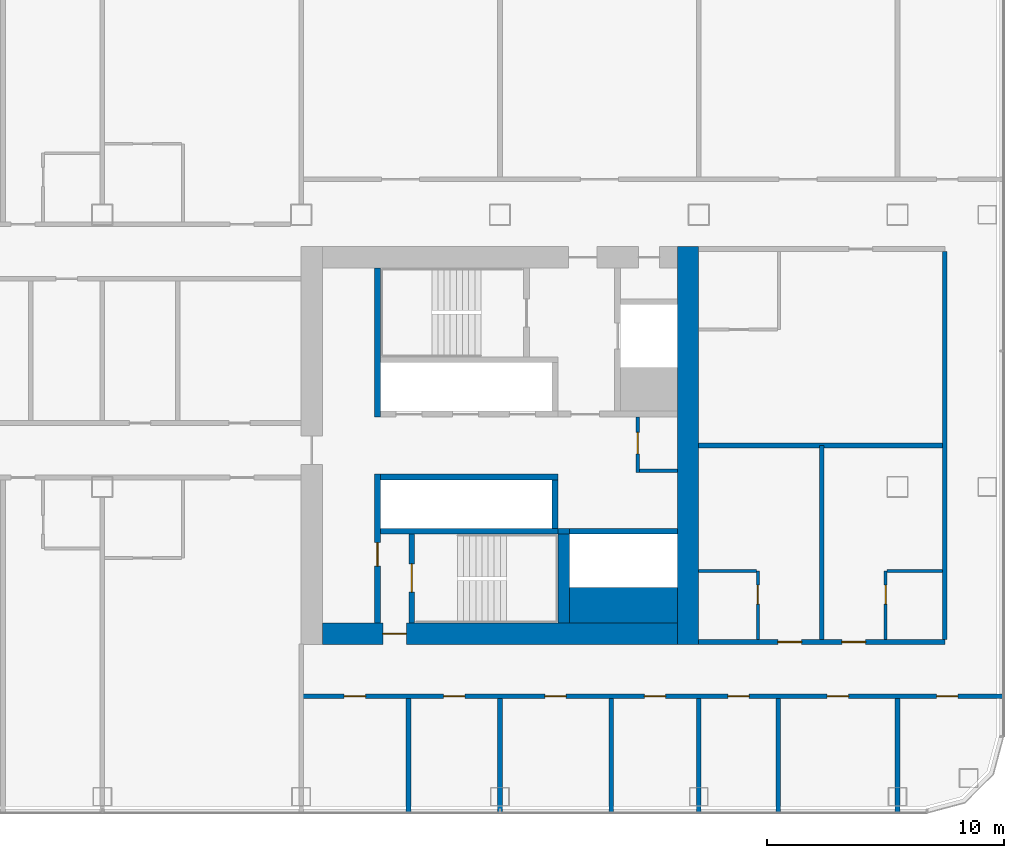
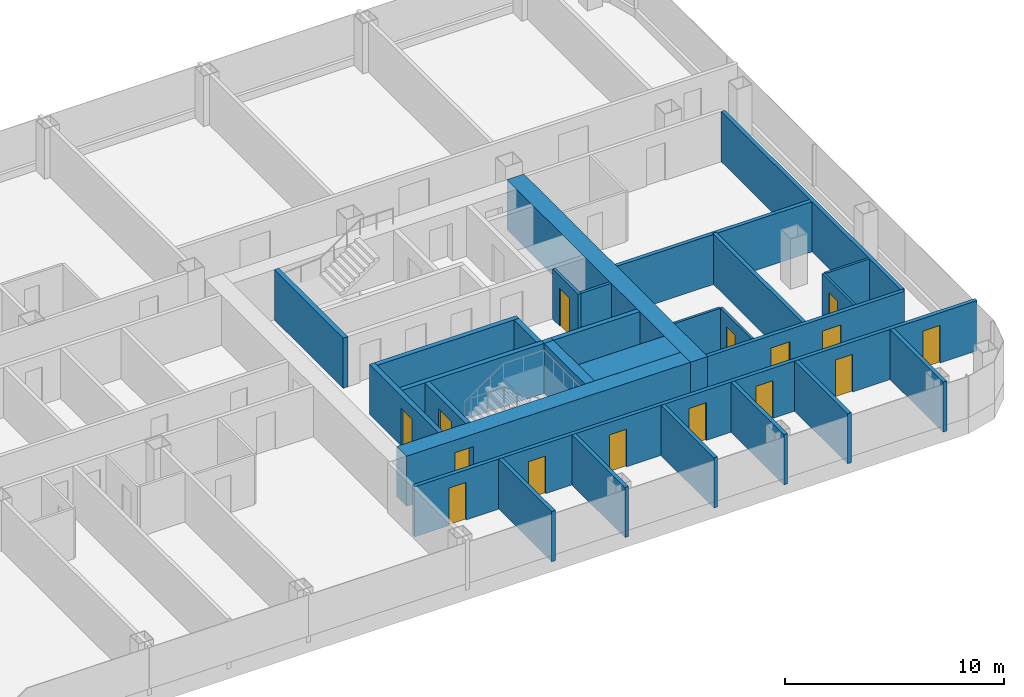
# One storey, part 19 of 29: 29 walls, 15 doors, 15 openings.
"""IFC4 building model written with IfcOpenShell, lengths in metres."""

from ifc_helpers import new_model, si_unit, direction, frame, frame_2d, origin, place, context, subcontext, project, spatial, rectangle, extrude, material, layer, layer_set, type_object, element, fill, save


model = new_model("IFC4")

# Units and contexts
model_context = context("Model", 3, precision=1e-05, world=origin(), true_north=direction((0.0, 1.0)))
body_context = subcontext(model_context, "Body", "Model", "MODEL_VIEW")
ifc_project = project(units=[si_unit("LENGTHUNIT", "METRE"), si_unit("AREAUNIT", "SQUARE_METRE"), si_unit("VOLUMEUNIT", "CUBIC_METRE"), si_unit("PLANEANGLEUNIT", "RADIAN"), si_unit("MASSUNIT", "GRAM", prefix="KILO")], contexts=[model_context])

# Site, building, storey
site_placement = place(None, origin())
site = spatial("IfcSite", under=ifc_project, at=site_placement, CompositionType="ELEMENT")
building_placement = place(site_placement, origin())
building = spatial("IfcBuilding", under=site, at=building_placement, Name="Hakoniwa Tower and Hamabe Station Hall", CompositionType="ELEMENT")
storey_placement = place(building_placement, frame((0.0, 0.0, 85.0)))
storey = spatial("IfcBuildingStorey", under=building, at=storey_placement, Name="L23", CompositionType="ELEMENT", Elevation=85.0)

# Walls
ifc_material_1 = material(Name="Gypsum board partition", Category="gypsum")
ifc_layer_1 = layer(ifc_material_1, 0.125)
ifc_layer_set_1 = layer_set([ifc_layer_1], Name="Bathroom Partition 125")
wall_type_1 = type_object("IfcWallType", Name="Bathroom Partition 125", PredefinedType="PARTITIONING", material=ifc_layer_set_1)
wall_1_placement = place(storey_placement, frame((33.60009765625, -5.300048828125, 0.0), z_axis=(0.0, 0.0, 1.0), x_axis=(1.0, 0.0, 0.0)))
element("IfcWall", 1, at=wall_1_placement, inside=storey, type_object=wall_type_1, Name="GW-L23-007", PredefinedType="PARTITIONING", context=body_context, shape_type="SweptSolid", body=[
    extrude(rectangle(XDim=2.4375, YDim=0.125, at=frame_2d((1.21875, 0.0))), origin(), (0.0, 0.0, 1.0), 2.800048828125),
])
wall_2_placement = place(storey_placement, frame((41.5625, -5.300048828125, 0.0), z_axis=(0.0, 0.0, 1.0), x_axis=(1.0, 0.0, 0.0)))
element("IfcWall", 2, at=wall_2_placement, inside=storey, type_object=wall_type_1, Name="GW-L23-008", PredefinedType="PARTITIONING", context=body_context, shape_type="SweptSolid", body=[
    extrude(rectangle(XDim=2.33740234375, YDim=0.125, at=frame_2d((1.168701171875, 0.0))), origin(), (0.0, 0.0, 1.0), 2.800048828125),
])

# Wall, opening, door
wall_3_placement = place(storey_placement, frame((36.10009765625, -8.199951171875, 0.0), z_axis=(0.0, 0.0, 1.0), x_axis=(0.0, 1.0, 0.0)))
wall_3 = element("IfcWall", 3, at=wall_3_placement, inside=storey, type_object=wall_type_1, Name="GW-L23-087", PredefinedType="PARTITIONING", context=body_context, shape_type="SweptSolid", body=[
    extrude(rectangle(XDim=2.89990234375, YDim=0.125, at=frame_2d((1.449951171875, 0.0))), origin(), (0.0, 0.0, 1.0), 2.800048828125),
])
opening_1_placement = place(wall_3_placement, frame((1.5, 0.0, 0.0)))
opening_1 = element("IfcOpeningElement", 4, at=opening_1_placement, cuts=wall_3, Name="Opening GD-G2D0-67", PredefinedType="OPENING", context=body_context, shape_type="SweptSolid", body=[
    extrude(rectangle(XDim=0.800048828125, YDim=2.10009765625, at=frame_2d((0.39990234375, 1.050048828125))), frame((0.0, 0.072509765625, 0.0), z_axis=(0.0, -1.0, 0.0), x_axis=(1.0, 0.0, 0.0)), (0.0, 0.0, 1.0), 0.14501953125),
])
ifc_material_2 = material(Name="Timber door leaf", Category="wood")
door_type_1 = type_object("IfcDoorType", Name="Bathroom Door 800", OperationType="SINGLE_SWING_LEFT", PredefinedType="DOOR", material=ifc_material_2)
door_1_placement = place(opening_1_placement, origin())
door_1 = element("IfcDoor", 5, at=door_1_placement, inside=storey, type_object=door_type_1, Name="Door GD-G2D0-67", OperationType="SINGLE_SWING_LEFT", OverallHeight=2.10009765625, OverallWidth=0.800048828125, PredefinedType="DOOR", context=body_context, shape_type="SweptSolid", body=[
    extrude(rectangle(XDim=0.800048828125, YDim=2.10009765625, at=frame_2d((0.39990234375, 1.050048828125))), frame((0.0, 0.02490234375, 0.0), z_axis=(0.0, -1.0, 0.0), x_axis=(1.0, 0.0, 0.0)), (0.0, 0.0, 1.0), 0.050048828125),
])
fill(opening_1, door_1)

wall_4_placement = place(storey_placement, frame((41.5, -8.199951171875, 0.0), z_axis=(0.0, 0.0, 1.0), x_axis=(0.0, 1.0, 0.0)))
wall_4 = element("IfcWall", 6, at=wall_4_placement, inside=storey, type_object=wall_type_1, Name="GW-L23-091", PredefinedType="PARTITIONING", context=body_context, shape_type="SweptSolid", body=[
    extrude(rectangle(XDim=2.89990234375, YDim=0.125, at=frame_2d((1.449951171875, 0.0))), origin(), (0.0, 0.0, 1.0), 2.800048828125),
])
opening_2_placement = place(wall_4_placement, frame((1.5, 0.0, 0.0)))
opening_2 = element("IfcOpeningElement", 7, at=opening_2_placement, cuts=wall_4, Name="Opening GD-G2D0-68", PredefinedType="OPENING", context=body_context, shape_type="SweptSolid", body=[
    extrude(rectangle(XDim=0.800048828125, YDim=2.10009765625, at=frame_2d((0.39990234375, 1.050048828125))), frame((0.0, 0.072509765625, 0.0), z_axis=(0.0, -1.0, 0.0), x_axis=(1.0, 0.0, 0.0)), (0.0, 0.0, 1.0), 0.14501953125),
])
door_2_placement = place(opening_2_placement, origin())
door_2 = element("IfcDoor", 8, at=door_2_placement, inside=storey, type_object=door_type_1, Name="Door GD-G2D0-68", OperationType="SINGLE_SWING_RIGHT", OverallHeight=2.10009765625, OverallWidth=0.800048828125, PredefinedType="DOOR", context=body_context, shape_type="SweptSolid", body=[
    extrude(rectangle(XDim=0.800048828125, YDim=2.10009765625, at=frame_2d((0.39990234375, 1.050048828125))), frame((0.0, 0.02490234375, 0.0), z_axis=(0.0, -1.0, 0.0), x_axis=(1.0, 0.0, 0.0)), (0.0, 0.0, 1.0), 0.050048828125),
])
fill(opening_2, door_2)

ifc_material_3 = material(Name="Gypsum board partition")
ifc_layer_2 = layer(ifc_material_3, 0.14990234375)
ifc_layer_set_2 = layer_set([ifc_layer_2], Name="CORE PARTITION 150 EI 60")
wall_type_2 = type_object("IfcWallType", Name="CORE PARTITION 150 EI 60", PredefinedType="PARTITIONING", material=ifc_layer_set_2)
wall_5_placement = place(storey_placement, frame((31.02490234375, -1.14990234375, 0.0), z_axis=(0.0, 0.0, 1.0), x_axis=(0.0, 1.0, 0.0)))
wall_5 = element("IfcWall", 9, at=wall_5_placement, inside=storey, type_object=wall_type_2, Name="Core partition PW0 east", PredefinedType="PARTITIONING", context=body_context, shape_type="SweptSolid", body=[
    extrude(rectangle(XDim=2.349853515625, YDim=0.14990234375, at=frame_2d((1.1748046875, 0.0))), origin(), (0.0, 0.0, 1.0), 2.800048828125),
])
opening_3_placement = place(wall_5_placement, frame((0.800048828125, 0.0, 0.0)))
opening_3 = element("IfcOpeningElement", 10, at=opening_3_placement, cuts=wall_5, Name="Opening CD-E-RM1-9", PredefinedType="OPENING", context=body_context, shape_type="SweptSolid", body=[
    extrude(rectangle(XDim=0.89990234375, YDim=2.10009765625, at=frame_2d((0.449951171875, 1.050048828125))), frame((0.0, 0.0849609375, 0.0), z_axis=(0.0, -1.0, 0.0), x_axis=(1.0, 0.0, 0.0)), (0.0, 0.0, 1.0), 0.169921875),
])
ifc_material_4 = material(Name="Steel fire door", Category="steel")
door_type_2 = type_object("IfcDoorType", Name="CORE DOOR 900 FD30", OperationType="NOTDEFINED", PredefinedType="DOOR", material=ifc_material_4)
door_3_placement = place(opening_3_placement, origin())
door_3 = element("IfcDoor", 11, at=door_3_placement, inside=storey, type_object=door_type_2, Name="Store room door", OperationType="SINGLE_SWING_LEFT", OverallHeight=2.10009765625, OverallWidth=0.89990234375, PredefinedType="DOOR", context=body_context, shape_type="SweptSolid", body=[
    extrude(rectangle(XDim=0.89990234375, YDim=2.10009765625, at=frame_2d((0.449951171875, 1.050048828125))), frame((0.0, 0.02490234375, 0.0), z_axis=(0.0, -1.0, 0.0), x_axis=(1.0, 0.0, 0.0)), (0.0, 0.0, 1.0), 0.050048828125),
])
fill(opening_3, door_3)

# Walls
wall_6_placement = place(storey_placement, frame((31.10009765625, -1.074951171875, 0.0), z_axis=(0.0, 0.0, 1.0), x_axis=(1.0, 0.0, 0.0)))
element("IfcWall", 12, at=wall_6_placement, inside=storey, type_object=wall_type_2, Name="Core partition PS east", PredefinedType="PARTITIONING", context=body_context, shape_type="SweptSolid", body=[
    extrude(rectangle(XDim=1.599853515625, YDim=0.14990234375, at=frame_2d((0.7998046875, 0.0))), origin(), (0.0, 0.0, 1.0), 2.800048828125),
])
ifc_material_5 = material(Name="Concrete C72", Category="concrete")
ifc_layer_3 = layer(ifc_material_5, 0.89990234375)
ifc_layer_set_3 = layer_set([ifc_layer_3], Name="CORE WALL 900 C72")
wall_type_3 = type_object("IfcWallType", Name="CORE WALL 900 C72", PredefinedType="SHEAR", material=ifc_layer_set_3)
wall_7_placement = place(storey_placement, frame((33.14990234375, -8.39990234375, 0.0), z_axis=(0.0, 0.0, 1.0), x_axis=(0.0, 1.0, 0.0)))
element("IfcWall", 13, at=wall_7_placement, inside=storey, type_object=wall_type_3, Name="Core wall OUTER east", PredefinedType="SHEAR", context=body_context, shape_type="SweptSolid", body=[
    extrude(rectangle(XDim=16.7998046875, YDim=0.89990234375, at=frame_2d((8.39990234375, 0.0))), origin(), (0.0, 0.0, 1.0), 2.800048828125),
])

# Wall, opening, door
wall_8_placement = place(storey_placement, frame((17.699951171875, -7.949951171875, 0.0), z_axis=(0.0, 0.0, 1.0), x_axis=(1.0, 0.0, 0.0)))
wall_8 = element("IfcWall", 14, at=wall_8_placement, inside=storey, type_object=wall_type_3, Name="Core wall SOUTH east", PredefinedType="SHEAR", context=body_context, shape_type="SweptSolid", body=[
    extrude(rectangle(XDim=15.0, YDim=0.89990234375, at=frame_2d((7.5, 0.0))), origin(), (0.0, 0.0, 1.0), 2.800048828125),
])
opening_4_placement = place(wall_8_placement, frame((2.550048828125, 0.0, 0.0)))
opening_4 = element("IfcOpeningElement", 15, at=opening_4_placement, cuts=wall_8, Name="Opening CD-E-FS3-10", PredefinedType="OPENING", context=body_context, shape_type="SweptSolid", body=[
    extrude(rectangle(XDim=1.0, YDim=2.10009765625, at=frame_2d((0.5, 1.050048828125))), frame((0.0, 0.4599609375, 0.0), z_axis=(0.0, -1.0, 0.0), x_axis=(1.0, 0.0, 0.0)), (0.0, 0.0, 1.0), 0.919921875),
])
ifc_material_6 = material(Name="Steel fire door", Category="steel")
door_type_3 = type_object("IfcDoorType", Name="CORE DOOR 1000 FD60", OperationType="NOTDEFINED", PredefinedType="DOOR", material=ifc_material_6)
door_4_placement = place(opening_4_placement, origin())
door_4 = element("IfcDoor", 16, at=door_4_placement, inside=storey, type_object=door_type_3, Name="Stair vestibule door", OperationType="SINGLE_SWING_LEFT", OverallHeight=2.10009765625, OverallWidth=1.0, PredefinedType="DOOR", context=body_context, shape_type="SweptSolid", body=[
    extrude(rectangle(XDim=1.0, YDim=2.10009765625, at=frame_2d((0.5, 1.050048828125))), frame((0.0, 0.02490234375, 0.0), z_axis=(0.0, -1.0, 0.0), x_axis=(1.0, 0.0, 0.0)), (0.0, 0.0, 1.0), 0.050048828125),
])
fill(opening_4, door_4)

# Walls
ifc_material_7 = material(Name="Concrete C72", Category="concrete")
ifc_layer_4 = layer(ifc_material_7, 1.5)
ifc_layer_set_4 = layer_set([ifc_layer_4], Name="CORE WEB WALL 1500 C72")
wall_type_4 = type_object("IfcWallType", Name="CORE WEB WALL 1500 C72", PredefinedType="SHEAR", material=ifc_layer_set_4)
wall_9_placement = place(storey_placement, frame((28.14990234375, -6.75, 0.0), z_axis=(0.0, 0.0, 1.0), x_axis=(1.0, 0.0, 0.0)))
element("IfcWall", 17, at=wall_9_placement, inside=storey, type_object=wall_type_4, Name="Core wall SER east", PredefinedType="SHEAR", context=body_context, shape_type="SweptSolid", body=[
    extrude(rectangle(XDim=4.550048828125, YDim=1.5, at=frame_2d((2.27490234375, 0.0))), origin(), (0.0, 0.0, 1.0), 2.800048828125),
])
ifc_material_8 = material(Name="Concrete C72", Category="concrete")
ifc_layer_5 = layer(ifc_material_8, 0.25)
ifc_layer_set_5 = layer_set([ifc_layer_5], Name="CORE WEB WALL 250 C72")
wall_type_5 = type_object("IfcWallType", Name="CORE WEB WALL 250 C72", PredefinedType="SHEAR", material=ifc_layer_set_5)
wall_10_placement = place(storey_placement, frame((20.02490234375, 1.199951171875, 0.0), z_axis=(0.0, 0.0, 1.0), x_axis=(0.0, 1.0, 0.0)))
element("IfcWall", 18, at=wall_10_placement, inside=storey, type_object=wall_type_5, Name="Core wall W1N east", PredefinedType="SHEAR", context=body_context, shape_type="SweptSolid", body=[
    extrude(rectangle(XDim=6.300048828125, YDim=0.25, at=frame_2d((3.14990234375, 0.0))), origin(), (0.0, 0.0, 1.0), 2.800048828125),
])

# Wall, opening, door
wall_11_placement = place(storey_placement, frame((20.02490234375, -7.5, 0.0), z_axis=(0.0, 0.0, 1.0), x_axis=(0.0, 1.0, 0.0)))
wall_11 = element("IfcWall", 19, at=wall_11_placement, inside=storey, type_object=wall_type_5, Name="Core wall W1S east", PredefinedType="SHEAR", context=body_context, shape_type="SweptSolid", body=[
    extrude(rectangle(XDim=6.300048828125, YDim=0.25, at=frame_2d((3.14990234375, 0.0))), origin(), (0.0, 0.0, 1.0), 2.800048828125),
])
opening_5_placement = place(wall_11_placement, frame((2.39990234375, 0.0, 0.0)))
opening_5 = element("IfcOpeningElement", 20, at=opening_5_placement, cuts=wall_11, Name="Opening CD-E-VS-10", PredefinedType="OPENING", context=body_context, shape_type="SweptSolid", body=[
    extrude(rectangle(XDim=1.0, YDim=2.10009765625, at=frame_2d((0.5, 1.050048828125))), frame((0.0, 0.135009765625, 0.0), z_axis=(0.0, -1.0, 0.0), x_axis=(1.0, 0.0, 0.0)), (0.0, 0.0, 1.0), 0.27001953125),
])
door_5_placement = place(opening_5_placement, origin())
door_5 = element("IfcDoor", 21, at=door_5_placement, inside=storey, type_object=door_type_3, Name="Stair vestibule door", OperationType="SINGLE_SWING_RIGHT", OverallHeight=2.10009765625, OverallWidth=1.0, PredefinedType="DOOR", context=body_context, shape_type="SweptSolid", body=[
    extrude(rectangle(XDim=1.0, YDim=2.10009765625, at=frame_2d((0.5, 1.050048828125))), frame((0.0, 0.02490234375, 0.0), z_axis=(0.0, -1.0, 0.0), x_axis=(1.0, 0.0, 0.0)), (0.0, 0.0, 1.0), 0.050048828125),
])
fill(opening_5, door_5)

# Walls
wall_12_placement = place(storey_placement, frame((20.14990234375, -1.324951171875, 0.0), z_axis=(0.0, 0.0, 1.0), x_axis=(1.0, 0.0, 0.0)))
element("IfcWall", 22, at=wall_12_placement, inside=storey, type_object=wall_type_5, Name="Core wall SF east", PredefinedType="SHEAR", context=body_context, shape_type="SweptSolid", body=[
    extrude(rectangle(XDim=7.5, YDim=0.25, at=frame_2d((3.75, 0.0))), origin(), (0.0, 0.0, 1.0), 2.800048828125),
])
wall_13_placement = place(storey_placement, frame((27.52490234375, -3.5, 0.0), z_axis=(0.0, 0.0, 1.0), x_axis=(0.0, 1.0, 0.0)))
element("IfcWall", 23, at=wall_13_placement, inside=storey, type_object=wall_type_5, Name="Core wall SE east", PredefinedType="SHEAR", context=body_context, shape_type="SweptSolid", body=[
    extrude(rectangle(XDim=2.050048828125, YDim=0.25, at=frame_2d((1.02490234375, 0.0))), origin(), (0.0, 0.0, 1.0), 2.800048828125),
])
wall_14_placement = place(storey_placement, frame((20.14990234375, -3.625, 0.0), z_axis=(0.0, 0.0, 1.0), x_axis=(1.0, 0.0, 0.0)))
element("IfcWall", 24, at=wall_14_placement, inside=storey, type_object=wall_type_5, Name="Core wall SR east", PredefinedType="SHEAR", context=body_context, shape_type="SweptSolid", body=[
    extrude(rectangle(XDim=7.5, YDim=0.25, at=frame_2d((3.75, 0.0))), origin(), (0.0, 0.0, 1.0), 2.800048828125),
])

# Wall, opening, door
wall_15_placement = place(storey_placement, frame((21.47509765625, -7.5, 0.0), z_axis=(0.0, 0.0, 1.0), x_axis=(0.0, 1.0, 0.0)))
wall_15 = element("IfcWall", 25, at=wall_15_placement, inside=storey, type_object=wall_type_5, Name="Core wall VE east", PredefinedType="SHEAR", context=body_context, shape_type="SweptSolid", body=[
    extrude(rectangle(XDim=3.75, YDim=0.25, at=frame_2d((1.875, 0.0))), origin(), (0.0, 0.0, 1.0), 2.800048828125),
])
opening_6_placement = place(wall_15_placement, frame((1.300048828125, 0.0, 0.0)))
opening_6 = element("IfcOpeningElement", 26, at=opening_6_placement, cuts=wall_15, Name="Opening CD-E-SS-12", PredefinedType="OPENING", context=body_context, shape_type="SweptSolid", body=[
    extrude(rectangle(XDim=1.199951171875, YDim=2.10009765625, at=frame_2d((0.60009765625, 1.050048828125))), frame((0.0, 0.135009765625, 0.0), z_axis=(0.0, -1.0, 0.0), x_axis=(1.0, 0.0, 0.0)), (0.0, 0.0, 1.0), 0.27001953125),
])
ifc_material_9 = material(Name="Steel fire door", Category="steel")
door_type_4 = type_object("IfcDoorType", Name="CORE DOOR 1200 FD60", OperationType="DOUBLE_DOOR_SINGLE_SWING", PredefinedType="DOOR", material=ifc_material_9)
door_6_placement = place(opening_6_placement, origin())
door_6 = element("IfcDoor", 27, at=door_6_placement, inside=storey, type_object=door_type_4, Name="Escape stair door", OperationType="DOUBLE_DOOR_SINGLE_SWING", OverallHeight=2.10009765625, OverallWidth=1.199951171875, PredefinedType="DOOR", context=body_context, shape_type="SweptSolid", body=[
    extrude(rectangle(XDim=1.199951171875, YDim=2.10009765625, at=frame_2d((0.60009765625, 1.050048828125))), frame((0.0, 0.02490234375, 0.0), z_axis=(0.0, -1.0, 0.0), x_axis=(1.0, 0.0, 0.0)), (0.0, 0.0, 1.0), 0.050048828125),
])
fill(opening_6, door_6)

# Walls
wall_16_placement = place(storey_placement, frame((28.14990234375, -3.625, 0.0), z_axis=(0.0, 0.0, 1.0), x_axis=(1.0, 0.0, 0.0)))
element("IfcWall", 28, at=wall_16_placement, inside=storey, type_object=wall_type_5, Name="Core wall SEF east", PredefinedType="SHEAR", context=body_context, shape_type="SweptSolid", body=[
    extrude(rectangle(XDim=4.550048828125, YDim=0.25, at=frame_2d((2.27490234375, 0.0))), origin(), (0.0, 0.0, 1.0), 2.800048828125),
])
wall_17_placement = place(storey_placement, frame((27.64990234375, -3.625, 0.0), z_axis=(0.0, 0.0, 1.0), x_axis=(1.0, 0.0, 0.0)))
element("IfcWall", 29, at=wall_17_placement, inside=storey, type_object=wall_type_5, Name="Core wall SRK east", PredefinedType="SHEAR", context=body_context, shape_type="SweptSolid", body=[
    extrude(rectangle(XDim=0.5, YDim=0.25, at=frame_2d((0.25, 0.0))), origin(), (0.0, 0.0, 1.0), 2.800048828125),
])
ifc_material_10 = material(Name="Concrete C72", Category="concrete")
ifc_layer_6 = layer(ifc_material_10, 0.5)
ifc_layer_set_6 = layer_set([ifc_layer_6], Name="CORE WEB WALL 500 C72")
wall_type_6 = type_object("IfcWallType", Name="CORE WEB WALL 500 C72", PredefinedType="SHEAR", material=ifc_layer_set_6)
wall_18_placement = place(storey_placement, frame((27.89990234375, -7.5, 0.0), z_axis=(0.0, 0.0, 1.0), x_axis=(0.0, 1.0, 0.0)))
element("IfcWall", 30, at=wall_18_placement, inside=storey, type_object=wall_type_6, Name="Core wall SSE east", PredefinedType="SHEAR", context=body_context, shape_type="SweptSolid", body=[
    extrude(rectangle(XDim=3.75, YDim=0.5, at=frame_2d((1.875, 0.0))), origin(), (0.0, 0.0, 1.0), 2.800048828125),
])

# Wall, openings, doors
ifc_material_11 = material(Name="Fire-rated gypsum board partition", Category="gypsum")
ifc_layer_7 = layer(ifc_material_11, 0.199951171875)
ifc_layer_set_7 = layer_set([ifc_layer_7], Name="Corridor Wall 200")
wall_type_7 = type_object("IfcWallType", Name="Corridor Wall 200", PredefinedType="PARTITIONING", material=ifc_layer_set_7)
wall_19_placement = place(storey_placement, frame((16.800048828125, -10.60009765625, 0.0), z_axis=(0.0, 0.0, 1.0), x_axis=(1.0, 0.0, 0.0)))
wall_19 = element("IfcWall", 31, at=wall_19_placement, inside=storey, type_object=wall_type_7, Name="GW-L23-002", PredefinedType="PARTITIONING", context=body_context, shape_type="SweptSolid", body=[
    extrude(rectangle(XDim=29.699951171875, YDim=0.199951171875, at=frame_2d((14.85009765625, 0.0))), origin(), (0.0, 0.0, 1.0), 2.800048828125),
])
opening_7_placement = place(wall_19_placement, frame((1.820068359375, 0.0, 0.0)))
opening_7 = element("IfcOpeningElement", 32, at=opening_7_placement, cuts=wall_19, Name="Opening GD-G2D0-08", PredefinedType="OPENING", context=body_context, shape_type="SweptSolid", body=[
    extrude(rectangle(XDim=0.89990234375, YDim=2.10009765625, at=frame_2d((0.449951171875, 1.050048828125))), frame((0.0, 0.10986328125, 0.0), z_axis=(0.0, -1.0, 0.0), x_axis=(1.0, 0.0, 0.0)), (0.0, 0.0, 1.0), 0.219970703125),
])
opening_8_placement = place(wall_19_placement, frame((6.02001953125, 0.0, 0.0)))
opening_8 = element("IfcOpeningElement", 33, at=opening_8_placement, cuts=wall_19, Name="Opening GD-G2D0-09", PredefinedType="OPENING", context=body_context, shape_type="SweptSolid", body=[
    extrude(rectangle(XDim=0.89990234375, YDim=2.10009765625, at=frame_2d((0.449951171875, 1.050048828125))), frame((0.0, 0.10986328125, 0.0), z_axis=(0.0, -1.0, 0.0), x_axis=(1.0, 0.0, 0.0)), (0.0, 0.0, 1.0), 0.219970703125),
])
opening_9_placement = place(wall_19_placement, frame((10.300048828125, 0.0, 0.0)))
opening_9 = element("IfcOpeningElement", 34, at=opening_9_placement, cuts=wall_19, Name="Opening GD-G2D0-10", PredefinedType="OPENING", context=body_context, shape_type="SweptSolid", body=[
    extrude(rectangle(XDim=0.89990234375, YDim=2.10009765625, at=frame_2d((0.449951171875, 1.050048828125))), frame((0.0, 0.10986328125, 0.0), z_axis=(0.0, -1.0, 0.0), x_axis=(1.0, 0.0, 0.0)), (0.0, 0.0, 1.0), 0.219970703125),
])
opening_10_placement = place(wall_19_placement, frame((14.5, 0.0, 0.0)))
opening_10 = element("IfcOpeningElement", 35, at=opening_10_placement, cuts=wall_19, Name="Opening GD-G2D0-11", PredefinedType="OPENING", context=body_context, shape_type="SweptSolid", body=[
    extrude(rectangle(XDim=0.89990234375, YDim=2.10009765625, at=frame_2d((0.449951171875, 1.050048828125))), frame((0.0, 0.10986328125, 0.0), z_axis=(0.0, -1.0, 0.0), x_axis=(1.0, 0.0, 0.0)), (0.0, 0.0, 1.0), 0.219970703125),
])
opening_11_placement = place(wall_19_placement, frame((18.030029296875, 0.0, 0.0)))
opening_11 = element("IfcOpeningElement", 36, at=opening_11_placement, cuts=wall_19, Name="Opening GD-G2D0-12", PredefinedType="OPENING", context=body_context, shape_type="SweptSolid", body=[
    extrude(rectangle(XDim=0.89990234375, YDim=2.10009765625, at=frame_2d((0.449951171875, 1.050048828125))), frame((0.0, 0.10986328125, 0.0), z_axis=(0.0, -1.0, 0.0), x_axis=(1.0, 0.0, 0.0)), (0.0, 0.0, 1.0), 0.219970703125),
])
opening_12_placement = place(wall_19_placement, frame((22.22998046875, 0.0, 0.0)))
opening_12 = element("IfcOpeningElement", 37, at=opening_12_placement, cuts=wall_19, Name="Opening GD-G2D0-13", PredefinedType="OPENING", context=body_context, shape_type="SweptSolid", body=[
    extrude(rectangle(XDim=0.89990234375, YDim=2.10009765625, at=frame_2d((0.449951171875, 1.050048828125))), frame((0.0, 0.10986328125, 0.0), z_axis=(0.0, -1.0, 0.0), x_axis=(1.0, 0.0, 0.0)), (0.0, 0.0, 1.0), 0.219970703125),
])
opening_13_placement = place(wall_19_placement, frame((26.85009765625, 0.0, 0.0)))
opening_13 = element("IfcOpeningElement", 38, at=opening_13_placement, cuts=wall_19, Name="Opening GD-G2D0-14", PredefinedType="OPENING", context=body_context, shape_type="SweptSolid", body=[
    extrude(rectangle(XDim=0.89990234375, YDim=2.10009765625, at=frame_2d((0.449951171875, 1.050048828125))), frame((0.0, 0.10986328125, 0.0), z_axis=(0.0, -1.0, 0.0), x_axis=(1.0, 0.0, 0.0)), (0.0, 0.0, 1.0), 0.219970703125),
])
ifc_material_12 = material(Name="Timber door leaf", Category="wood")
door_type_5 = type_object("IfcDoorType", Name="Service Door 900", OperationType="SINGLE_SWING_LEFT", PredefinedType="DOOR", material=ifc_material_12)
door_7_placement = place(opening_7_placement, origin())
door_7 = element("IfcDoor", 39, at=door_7_placement, inside=storey, type_object=door_type_5, Name="Door GD-G2D0-08", OperationType="SINGLE_SWING_RIGHT", OverallHeight=2.10009765625, OverallWidth=0.89990234375, PredefinedType="DOOR", context=body_context, shape_type="SweptSolid", body=[
    extrude(rectangle(XDim=0.89990234375, YDim=2.10009765625, at=frame_2d((0.449951171875, 1.050048828125))), frame((0.0, 0.02490234375, 0.0), z_axis=(0.0, -1.0, 0.0), x_axis=(1.0, 0.0, 0.0)), (0.0, 0.0, 1.0), 0.050048828125),
])
fill(opening_7, door_7)
door_8_placement = place(opening_8_placement, origin())
door_8 = element("IfcDoor", 40, at=door_8_placement, inside=storey, type_object=door_type_5, Name="Door GD-G2D0-09", OperationType="SINGLE_SWING_LEFT", OverallHeight=2.10009765625, OverallWidth=0.89990234375, PredefinedType="DOOR", context=body_context, shape_type="SweptSolid", body=[
    extrude(rectangle(XDim=0.89990234375, YDim=2.10009765625, at=frame_2d((0.449951171875, 1.050048828125))), frame((0.0, 0.02490234375, 0.0), z_axis=(0.0, -1.0, 0.0), x_axis=(1.0, 0.0, 0.0)), (0.0, 0.0, 1.0), 0.050048828125),
])
fill(opening_8, door_8)
door_9_placement = place(opening_9_placement, origin())
door_9 = element("IfcDoor", 41, at=door_9_placement, inside=storey, type_object=door_type_5, Name="Door GD-G2D0-10", OperationType="SINGLE_SWING_LEFT", OverallHeight=2.10009765625, OverallWidth=0.89990234375, PredefinedType="DOOR", context=body_context, shape_type="SweptSolid", body=[
    extrude(rectangle(XDim=0.89990234375, YDim=2.10009765625, at=frame_2d((0.449951171875, 1.050048828125))), frame((0.0, 0.02490234375, 0.0), z_axis=(0.0, -1.0, 0.0), x_axis=(1.0, 0.0, 0.0)), (0.0, 0.0, 1.0), 0.050048828125),
])
fill(opening_9, door_9)
door_10_placement = place(opening_10_placement, origin())
door_10 = element("IfcDoor", 42, at=door_10_placement, inside=storey, type_object=door_type_5, Name="Door GD-G2D0-11", OperationType="SINGLE_SWING_RIGHT", OverallHeight=2.10009765625, OverallWidth=0.89990234375, PredefinedType="DOOR", context=body_context, shape_type="SweptSolid", body=[
    extrude(rectangle(XDim=0.89990234375, YDim=2.10009765625, at=frame_2d((0.449951171875, 1.050048828125))), frame((0.0, 0.02490234375, 0.0), z_axis=(0.0, -1.0, 0.0), x_axis=(1.0, 0.0, 0.0)), (0.0, 0.0, 1.0), 0.050048828125),
])
fill(opening_10, door_10)
door_11_placement = place(opening_11_placement, origin())
door_11 = element("IfcDoor", 43, at=door_11_placement, inside=storey, type_object=door_type_5, Name="Door GD-G2D0-12", OperationType="SINGLE_SWING_LEFT", OverallHeight=2.10009765625, OverallWidth=0.89990234375, PredefinedType="DOOR", context=body_context, shape_type="SweptSolid", body=[
    extrude(rectangle(XDim=0.89990234375, YDim=2.10009765625, at=frame_2d((0.449951171875, 1.050048828125))), frame((0.0, 0.02490234375, 0.0), z_axis=(0.0, -1.0, 0.0), x_axis=(1.0, 0.0, 0.0)), (0.0, 0.0, 1.0), 0.050048828125),
])
fill(opening_11, door_11)
door_12_placement = place(opening_12_placement, origin())
door_12 = element("IfcDoor", 44, at=door_12_placement, inside=storey, type_object=door_type_5, Name="Door GD-G2D0-13", OperationType="SINGLE_SWING_RIGHT", OverallHeight=2.10009765625, OverallWidth=0.89990234375, PredefinedType="DOOR", context=body_context, shape_type="SweptSolid", body=[
    extrude(rectangle(XDim=0.89990234375, YDim=2.10009765625, at=frame_2d((0.449951171875, 1.050048828125))), frame((0.0, 0.02490234375, 0.0), z_axis=(0.0, -1.0, 0.0), x_axis=(1.0, 0.0, 0.0)), (0.0, 0.0, 1.0), 0.050048828125),
])
fill(opening_12, door_12)
door_13_placement = place(opening_13_placement, origin())
door_13 = element("IfcDoor", 45, at=door_13_placement, inside=storey, type_object=door_type_5, Name="Door GD-G2D0-14", OperationType="SINGLE_SWING_LEFT", OverallHeight=2.10009765625, OverallWidth=0.89990234375, PredefinedType="DOOR", context=body_context, shape_type="SweptSolid", body=[
    extrude(rectangle(XDim=0.89990234375, YDim=2.10009765625, at=frame_2d((0.449951171875, 1.050048828125))), frame((0.0, 0.02490234375, 0.0), z_axis=(0.0, -1.0, 0.0), x_axis=(1.0, 0.0, 0.0)), (0.0, 0.0, 1.0), 0.050048828125),
])
fill(opening_13, door_13)

wall_20_placement = place(storey_placement, frame((33.60009765625, -8.300048828125, 0.0), z_axis=(0.0, 0.0, 1.0), x_axis=(1.0, 0.0, 0.0)))
wall_20 = element("IfcWall", 46, at=wall_20_placement, inside=storey, type_object=wall_type_7, Name="GW-L23-004", PredefinedType="PARTITIONING", context=body_context, shape_type="SweptSolid", body=[
    extrude(rectangle(XDim=10.39990234375, YDim=0.199951171875, at=frame_2d((5.199951171875, 0.0))), origin(), (0.0, 0.0, 1.0), 2.800048828125),
])
opening_14_placement = place(wall_20_placement, frame((3.35009765625, 0.0, 0.0)))
opening_14 = element("IfcOpeningElement", 47, at=opening_14_placement, cuts=wall_20, Name="Opening GD-G2D0-17", PredefinedType="OPENING", context=body_context, shape_type="SweptSolid", body=[
    extrude(rectangle(XDim=1.0, YDim=2.10009765625, at=frame_2d((0.5, 1.050048828125))), frame((0.0, 0.10986328125, 0.0), z_axis=(0.0, -1.0, 0.0), x_axis=(1.0, 0.0, 0.0)), (0.0, 0.0, 1.0), 0.219970703125),
])
opening_15_placement = place(wall_20_placement, frame((6.050048828125, 0.0, 0.0)))
opening_15 = element("IfcOpeningElement", 48, at=opening_15_placement, cuts=wall_20, Name="Opening GD-G2D0-18", PredefinedType="OPENING", context=body_context, shape_type="SweptSolid", body=[
    extrude(rectangle(XDim=1.0, YDim=2.10009765625, at=frame_2d((0.5, 1.050048828125))), frame((0.0, 0.10986328125, 0.0), z_axis=(0.0, -1.0, 0.0), x_axis=(1.0, 0.0, 0.0)), (0.0, 0.0, 1.0), 0.219970703125),
])
ifc_material_13 = material(Name="Timber door leaf", Category="wood")
door_type_6 = type_object("IfcDoorType", Name="Guest Entrance Door 1000", OperationType="SINGLE_SWING_LEFT", PredefinedType="DOOR", material=ifc_material_13)
door_14_placement = place(opening_14_placement, origin())
door_14 = element("IfcDoor", 49, at=door_14_placement, inside=storey, type_object=door_type_6, Name="Door GD-G2D0-17", OperationType="SINGLE_SWING_LEFT", OverallHeight=2.10009765625, OverallWidth=1.0, PredefinedType="DOOR", context=body_context, shape_type="SweptSolid", body=[
    extrude(rectangle(XDim=1.0, YDim=2.10009765625, at=frame_2d((0.5, 1.050048828125))), frame((0.0, 0.02490234375, 0.0), z_axis=(0.0, -1.0, 0.0), x_axis=(1.0, 0.0, 0.0)), (0.0, 0.0, 1.0), 0.050048828125),
])
fill(opening_14, door_14)
door_15_placement = place(opening_15_placement, origin())
door_15 = element("IfcDoor", 50, at=door_15_placement, inside=storey, type_object=door_type_6, Name="Door GD-G2D0-18", OperationType="SINGLE_SWING_RIGHT", OverallHeight=2.10009765625, OverallWidth=1.0, PredefinedType="DOOR", context=body_context, shape_type="SweptSolid", body=[
    extrude(rectangle(XDim=1.0, YDim=2.10009765625, at=frame_2d((0.5, 1.050048828125))), frame((0.0, 0.02490234375, 0.0), z_axis=(0.0, -1.0, 0.0), x_axis=(1.0, 0.0, 0.0)), (0.0, 0.0, 1.0), 0.050048828125),
])
fill(opening_15, door_15)

# Walls
ifc_material_14 = material(Name="Fire-rated gypsum board partition", Category="gypsum")
ifc_layer_8 = layer(ifc_material_14, 0.199951171875)
ifc_layer_set_8 = layer_set([ifc_layer_8], Name="Party Wall 200")
wall_type_8 = type_object("IfcWallType", Name="Party Wall 200", PredefinedType="PARTITIONING", material=ifc_layer_set_8)
wall_21_placement = place(storey_placement, frame((33.60009765625, 0.0, 0.0), z_axis=(0.0, 0.0, 1.0), x_axis=(1.0, 0.0, 0.0)))
element("IfcWall", 51, at=wall_21_placement, inside=storey, type_object=wall_type_8, Name="GW-L23-016", PredefinedType="PARTITIONING", context=body_context, shape_type="SweptSolid", body=[
    extrude(rectangle(XDim=10.2998046875, YDim=0.199951171875, at=frame_2d((5.14990234375, 0.0))), origin(), (0.0, 0.0, 1.0), 2.800048828125),
])
for number, where, z_axis, x_axis, name in (
    (52, (21.340087890625, -15.550048828125, 0.0), (0.0, 0.0, 1.0), (0.0, 1.0, 0.0), "GW-L23-081"),
    (53, (25.199951171875, -15.550048828125, 0.0), (0.0, 0.0, 1.0), (0.0, 1.0, 0.0), "GW-L23-082"),
    (54, (29.89990234375, -15.550048828125, 0.0), (0.0, 0.0, 1.0), (0.0, 1.0, 0.0), "GW-L23-084"),
    (55, (33.60009765625, -15.550048828125, 0.0), (0.0, 0.0, 1.0), (0.0, 1.0, 0.0), "GW-L23-085"),
    (56, (36.9599609375, -15.550048828125, 0.0), (0.0, 0.0, 1.0), (0.0, 1.0, 0.0), "GW-L23-088"),
):
    element("IfcWall", number, at=place(storey_placement, frame(where, z_axis=z_axis, x_axis=x_axis)), inside=storey, type_object=wall_type_8, Name=name, PredefinedType="PARTITIONING", context=body_context, shape_type="SweptSolid", body=[
        extrude(rectangle(XDim=4.85009765625, YDim=0.199951171875, at=frame_2d((2.425048828125, 0.0))), origin(), (0.0, 0.0, 1.0), 2.800048828125),
    ])
wall_22_placement = place(storey_placement, frame((38.800048828125, -8.199951171875, 0.0), z_axis=(0.0, 0.0, 1.0), x_axis=(0.0, 1.0, 0.0)))
element("IfcWall", 57, at=wall_22_placement, inside=storey, type_object=wall_type_8, Name="GW-L23-090", PredefinedType="PARTITIONING", context=body_context, shape_type="SweptSolid", body=[
    extrude(rectangle(XDim=8.199951171875, YDim=0.199951171875, at=frame_2d((4.10009765625, 0.0))), origin(), (0.0, 0.0, 1.0), 2.800048828125),
])
wall_23_placement = place(storey_placement, frame((42.0, -15.550048828125, 0.0), z_axis=(0.0, 0.0, 1.0), x_axis=(0.0, 1.0, 0.0)))
element("IfcWall", 58, at=wall_23_placement, inside=storey, type_object=wall_type_8, Name="GW-L23-092", PredefinedType="PARTITIONING", context=body_context, shape_type="SweptSolid", body=[
    extrude(rectangle(XDim=4.85009765625, YDim=0.199951171875, at=frame_2d((2.425048828125, 0.0))), origin(), (0.0, 0.0, 1.0), 2.800048828125),
])
wall_24_placement = place(storey_placement, frame((44.0, -8.199951171875, 0.0), z_axis=(0.0, 0.0, 1.0), x_axis=(0.0, 1.0, 0.0)))
element("IfcWall", 59, at=wall_24_placement, inside=storey, type_object=wall_type_8, Name="GW-L23-094", PredefinedType="PARTITIONING", context=body_context, shape_type="SweptSolid", body=[
    extrude(rectangle(XDim=16.39990234375, YDim=0.199951171875, at=frame_2d((8.199951171875, 0.0))), origin(), (0.0, 0.0, 1.0), 2.800048828125),
])

save(model, "model.ifc")
